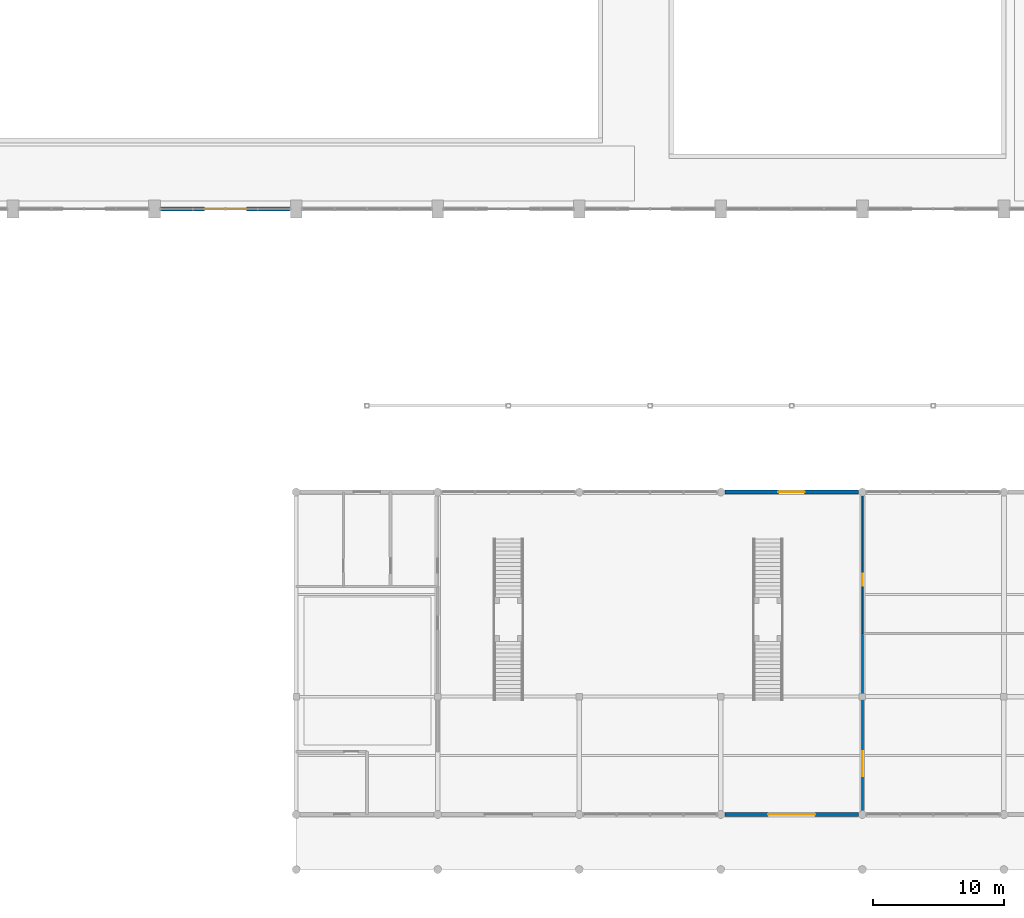
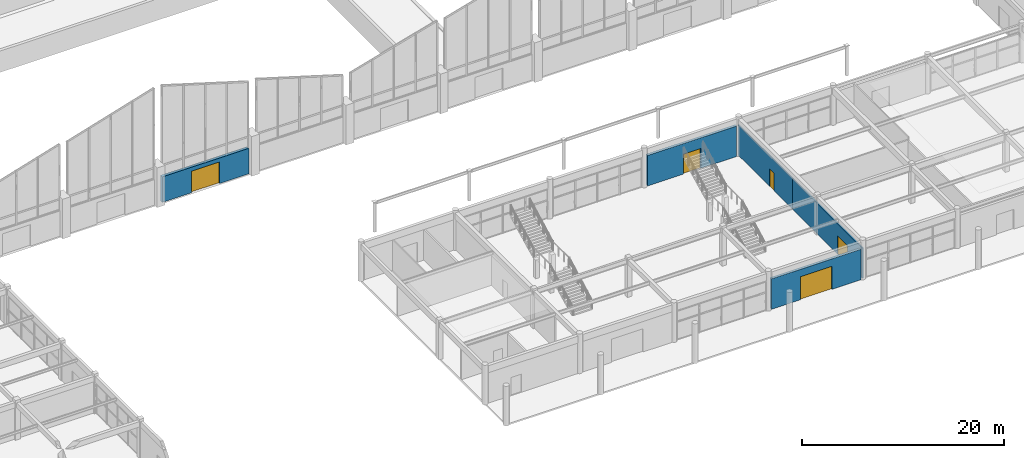
# One storey, part 50 of 82: 5 doors, 5 walls, 5 openings.
"""IFC4 building model written with IfcOpenShell, lengths in metres."""

from ifc_helpers import new_model, si_unit, direction, frame, frame_2d, origin, place, context, subcontext, project, spatial, rectangle, extrude, material, layer, layer_set, type_object, element, fill, save


model = new_model("IFC4")

# Units and contexts
model_context = context("Model", 3, precision=1e-05, world=origin(), true_north=direction((0.0, 1.0)))
body_context = subcontext(model_context, "Body", "Model", "MODEL_VIEW")
ifc_project = project(units=[si_unit("LENGTHUNIT", "METRE"), si_unit("AREAUNIT", "SQUARE_METRE"), si_unit("VOLUMEUNIT", "CUBIC_METRE"), si_unit("PLANEANGLEUNIT", "RADIAN"), si_unit("MASSUNIT", "GRAM", prefix="KILO")], contexts=[model_context])

# Site, building, storey
site_placement = place(None, origin())
site = spatial("IfcSite", under=ifc_project, at=site_placement, CompositionType="ELEMENT")
building_placement = place(site_placement, origin())
building = spatial("IfcBuilding", under=site, at=building_placement, Name="Suirenkawa Promenade Aquatics Centre", CompositionType="ELEMENT")
storey_placement = place(building_placement, origin())
storey = spatial("IfcBuildingStorey", under=building, at=storey_placement, Name="L00", CompositionType="ELEMENT", Elevation=0.0)

# Wall, opening, door
ifc_material_1 = material(Name="Concrete M40", Category="concrete")
ifc_layer_1 = layer(ifc_material_1, 0.2900390625, Name="Concrete M40", Category="concrete")
ifc_layer_set_1 = layer_set([ifc_layer_1], Name="Concrete M40")
wall_type_1 = type_object("IfcWallType", Name="WT-EXT-290", PredefinedType="SOLIDWALL", material=ifc_layer_set_1)
wall_1_placement = place(storey_placement, frame((122.094970703125, 4.199951171875, 0.0), z_axis=(0.0, 0.0, 1.0), x_axis=(-1.0, 0.0, 0.0)))
wall_1 = element("IfcWall", 1, at=wall_1_placement, inside=storey, type_object=wall_type_1, Name="Exterior wall WL-EXT-03 W-5043", PredefinedType="SOLIDWALL", context=body_context, shape_type="SweptSolid", body=[
    extrude(rectangle(XDim=10.18994140625, YDim=0.2900390625, at=frame_2d((5.094970703125, 0.0))), origin(), (0.0, 0.0, 1.0), 3.68505859375),
])
opening_1_placement = place(wall_1_placement, frame((3.294921875, 0.0, 0.0)))
opening_1 = element("IfcOpeningElement", 2, at=opening_1_placement, cuts=wall_1, Name="Opening ED-01", PredefinedType="OPENING", context=body_context, shape_type="SweptSolid", body=[
    extrude(rectangle(XDim=3.60009765625, YDim=2.800048828125, at=frame_2d((1.800048828125, 1.39990234375))), frame((0.0, 0.155029296875, 0.0), z_axis=(0.0, -1.0, 0.0), x_axis=(1.0, 0.0, 0.0)), (0.0, 0.0, 1.0), 0.31005859375),
])
ifc_material_2 = material(Name="Anodised aluminium 6063-T6", Category="aluminium")
door_type_1 = type_object("IfcDoorType", Name="DT-EXT-MAIN-3600x2800", OperationType="DOUBLE_DOOR_SINGLE_SWING", PredefinedType="DOOR", material=ifc_material_2)
door_1_placement = place(opening_1_placement, origin())
door_1 = element("IfcDoor", 3, at=door_1_placement, inside=storey, type_object=door_type_1, Name="Exterior door ED-01 DR-EXT-027", OperationType="DOUBLE_DOOR_SINGLE_SWING", OverallHeight=2.800048828125, OverallWidth=3.60009765625, PredefinedType="DOOR", context=body_context, shape_type="SweptSolid", body=[
    extrude(rectangle(XDim=3.60009765625, YDim=2.800048828125, at=frame_2d((1.800048828125, 1.39990234375))), frame((0.0, 0.02490234375, 0.0), z_axis=(0.0, -1.0, 0.0), x_axis=(1.0, 0.0, 0.0)), (0.0, 0.0, 1.0), 0.050048828125),
])
fill(opening_1, door_1)

wall_2_placement = place(storey_placement, frame((111.905029296875, 28.800048828125, 0.0), z_axis=(0.0, 0.0, 1.0), x_axis=(1.0, 0.0, 0.0)))
wall_2 = element("IfcWall", 4, at=wall_2_placement, inside=storey, type_object=wall_type_1, Name="Exterior wall WL-EXT-03 W-5044", PredefinedType="SOLIDWALL", context=body_context, shape_type="SweptSolid", body=[
    extrude(rectangle(XDim=10.18994140625, YDim=0.2900390625, at=frame_2d((5.094970703125, 0.0))), origin(), (0.0, 0.0, 1.0), 3.68505859375),
])
opening_2_placement = place(wall_2_placement, frame((4.094970703125, 0.0, 0.0)))
opening_2 = element("IfcOpeningElement", 5, at=opening_2_placement, cuts=wall_2, Name="Opening ED-06", PredefinedType="OPENING", context=body_context, shape_type="SweptSolid", body=[
    extrude(rectangle(XDim=2.0, YDim=2.39990234375, at=frame_2d((1.0, 1.199951171875))), frame((0.0, 0.155029296875, 0.0), z_axis=(0.0, -1.0, 0.0), x_axis=(1.0, 0.0, 0.0)), (0.0, 0.0, 1.0), 0.31005859375),
])
door_type_2 = type_object("IfcDoorType", Name="DT-EXT-CAFE-2000x2400", OperationType="DOUBLE_DOOR_SINGLE_SWING", PredefinedType="DOOR", material=ifc_material_2)
door_2_placement = place(opening_2_placement, origin())
door_2 = element("IfcDoor", 6, at=door_2_placement, inside=storey, type_object=door_type_2, Name="Exterior door ED-06 DR-EXT-028", OperationType="DOUBLE_DOOR_SINGLE_SWING", OverallHeight=2.39990234375, OverallWidth=2.0, PredefinedType="DOOR", context=body_context, shape_type="SweptSolid", body=[
    extrude(rectangle(XDim=2.0, YDim=2.39990234375, at=frame_2d((1.0, 1.199951171875))), frame((0.0, 0.02490234375, 0.0), z_axis=(0.0, -1.0, 0.0), x_axis=(1.0, 0.0, 0.0)), (0.0, 0.0, 1.0), 0.050048828125),
])
fill(opening_2, door_2)

ifc_layer_2 = layer(ifc_material_1, 0.340087890625, Name="Concrete M40", Category="concrete")
ifc_layer_set_2 = layer_set([ifc_layer_2], Name="Concrete M40")
wall_type_2 = type_object("IfcWallType", Name="WT-EXT-340", PredefinedType="SOLIDWALL", material=ifc_layer_set_2)
wall_3_placement = place(storey_placement, frame((78.7451171875, 50.39990234375, 0.0), z_axis=(0.0, 0.0, 1.0), x_axis=(-1.0, 0.0, 0.0)))
wall_3 = element("IfcWall", 7, at=wall_3_placement, inside=storey, type_object=wall_type_2, Name="Exterior wall WL-EXT-01 W-5004", PredefinedType="SOLIDWALL", context=body_context, shape_type="SweptSolid", body=[
    extrude(rectangle(XDim=9.89013671875, YDim=0.340087890625, at=frame_2d((4.945068359375, 0.0))), origin(), (0.0, 0.0, 1.0), 3.080078125),
])
opening_3_placement = place(wall_3_placement, frame((3.344970703125, 0.0, 0.0)))
opening_3 = element("IfcOpeningElement", 8, at=opening_3_placement, cuts=wall_3, Name="Opening ED-02", PredefinedType="OPENING", context=body_context, shape_type="SweptSolid", body=[
    extrude(rectangle(XDim=3.199951171875, YDim=2.60009765625, at=frame_2d((1.60009765625, 1.300048828125))), frame((0.0, 0.179931640625, 0.0), z_axis=(0.0, -1.0, 0.0), x_axis=(1.0, 0.0, 0.0)), (0.0, 0.0, 1.0), 0.360107421875),
])
door_type_3 = type_object("IfcDoorType", Name="DT-EXT-CONC-3200x2600", OperationType="DOUBLE_DOOR_SINGLE_SWING", PredefinedType="DOOR", material=ifc_material_2)
door_3_placement = place(opening_3_placement, origin())
door_3 = element("IfcDoor", 9, at=door_3_placement, inside=storey, type_object=door_type_3, Name="Exterior door ED-02 DR-EXT-004", OperationType="DOUBLE_DOOR_SINGLE_SWING", OverallHeight=2.60009765625, OverallWidth=3.199951171875, PredefinedType="DOOR", context=body_context, shape_type="SweptSolid", body=[
    extrude(rectangle(XDim=3.199951171875, YDim=2.60009765625, at=frame_2d((1.60009765625, 1.300048828125))), frame((0.0, 0.02490234375, 0.0), z_axis=(0.0, -1.0, 0.0), x_axis=(1.0, 0.0, 0.0)), (0.0, 0.0, 1.0), 0.050048828125),
])
fill(opening_3, door_3)

ifc_material_3 = material(Name="Moisture-resistant acoustic gypsum board")
ifc_layer_3 = layer(ifc_material_3, 0.1201171875, Name="Moisture-resistant acoustic gypsum board")
ifc_layer_set_3 = layer_set([ifc_layer_3], Name="Moisture-resistant acoustic gypsum board")
wall_type_3 = type_object("IfcWallType", Name="WT-LIGHT-120", PredefinedType="PARTITIONING", material=ifc_layer_set_3)
wall_4_placement = place(storey_placement, frame((122.39990234375, 18.0, 0.0), z_axis=(0.0, 0.0, 1.0), x_axis=(0.0, 1.0, 0.0)))
wall_4 = element("IfcWall", 10, at=wall_4_placement, inside=storey, type_object=wall_type_3, Name="Interior wall WL-PRT-05 W-7354", PredefinedType="PARTITIONING", context=body_context, shape_type="SweptSolid", body=[
    extrude(rectangle(XDim=10.800048828125, YDim=0.1201171875, at=frame_2d((5.39990234375, 0.0))), origin(), (0.0, 0.0, 1.0), 3.68505859375),
])
opening_4_placement = place(wall_4_placement, frame((3.654052734375, 0.0, 0.0)))
opening_4 = element("IfcOpeningElement", 11, at=opening_4_placement, cuts=wall_4, Name="Opening ID-12", PredefinedType="OPENING", context=body_context, shape_type="SweptSolid", body=[
    extrude(rectangle(XDim=0.89990234375, YDim=2.10009765625, at=frame_2d((0.449951171875, 1.050048828125))), frame((0.0, 0.070068359375, 0.0), z_axis=(0.0, -1.0, 0.0), x_axis=(1.0, 0.0, 0.0)), (0.0, 0.0, 1.0), 0.14013671875),
])
ifc_material_4 = material(Name="Engineered maple acoustic sports timber", Category="wood")
door_type_4 = type_object("IfcDoorType", Name="DT-STD-900x2100", OperationType="NOTDEFINED", PredefinedType="DOOR", material=ifc_material_4)
door_4_placement = place(opening_4_placement, origin())
door_4 = element("IfcDoor", 12, at=door_4_placement, inside=storey, type_object=door_type_4, Name="Interior door ID-12 DR-INT-0208", OperationType="SINGLE_SWING_RIGHT", OverallHeight=2.10009765625, OverallWidth=0.89990234375, PredefinedType="DOOR", context=body_context, shape_type="SweptSolid", body=[
    extrude(rectangle(XDim=0.89990234375, YDim=2.10009765625, at=frame_2d((0.449951171875, 1.050048828125))), frame((0.0, 0.02490234375, 0.0), z_axis=(0.0, -1.0, 0.0), x_axis=(1.0, 0.0, 0.0)), (0.0, 0.0, 1.0), 0.050048828125),
])
fill(opening_4, door_4)

ifc_material_5 = material(Name="Autoclaved aerated concrete blockwork Grade 1", Category="masonry")
ifc_layer_4 = layer(ifc_material_5, 0.159912109375, Name="Autoclaved aerated concrete blockwork Grade 1", Category="masonry")
ifc_layer_set_4 = layer_set([ifc_layer_4], Name="Autoclaved aerated concrete blockwork Grade 1")
wall_type_4 = type_object("IfcWallType", Name="WT-WET-160", PredefinedType="PARTITIONING", material=ifc_layer_set_4)
wall_5_placement = place(storey_placement, frame((122.39990234375, 4.199951171875, 0.0), z_axis=(0.0, 0.0, 1.0), x_axis=(0.0, 1.0, 0.0)))
wall_5 = element("IfcWall", 13, at=wall_5_placement, inside=storey, type_object=wall_type_4, Name="Interior wall WL-PRT-03 W-7351", PredefinedType="PARTITIONING", context=body_context, shape_type="SweptSolid", body=[
    extrude(rectangle(XDim=13.800048828125, YDim=0.159912109375, at=frame_2d((6.89990234375, 0.0))), origin(), (0.0, 0.0, 1.0), 3.68505859375),
])
opening_5_placement = place(wall_5_placement, frame((2.9140625, 0.0, 0.0)))
opening_5 = element("IfcOpeningElement", 14, at=opening_5_placement, cuts=wall_5, Name="Opening DR-FD60", PredefinedType="OPENING", context=body_context, shape_type="SweptSolid", body=[
    extrude(rectangle(XDim=1.89990234375, YDim=2.199951171875, at=frame_2d((0.949951171875, 1.10009765625))), frame((0.0, 0.08984375, 0.0), z_axis=(0.0, -1.0, 0.0), x_axis=(1.0, 0.0, 0.0)), (0.0, 0.0, 1.0), 0.179931640625),
])
door_type_5 = type_object("IfcDoorType", Name="DT-FD60-1900x2200", OperationType="DOUBLE_DOOR_SINGLE_SWING", PredefinedType="DOOR", material=ifc_material_4)
door_5_placement = place(opening_5_placement, origin())
door_5 = element("IfcDoor", 15, at=door_5_placement, inside=storey, type_object=door_type_5, Name="Interior door DR-FD60 DR-INT-0207", OperationType="DOUBLE_DOOR_SINGLE_SWING", OverallHeight=2.199951171875, OverallWidth=1.89990234375, PredefinedType="DOOR", context=body_context, shape_type="SweptSolid", body=[
    extrude(rectangle(XDim=1.89990234375, YDim=2.199951171875, at=frame_2d((0.949951171875, 1.10009765625))), frame((0.0, 0.02490234375, 0.0), z_axis=(0.0, -1.0, 0.0), x_axis=(1.0, 0.0, 0.0)), (0.0, 0.0, 1.0), 0.050048828125),
])
fill(opening_5, door_5)

save(model, "model.ifc")
